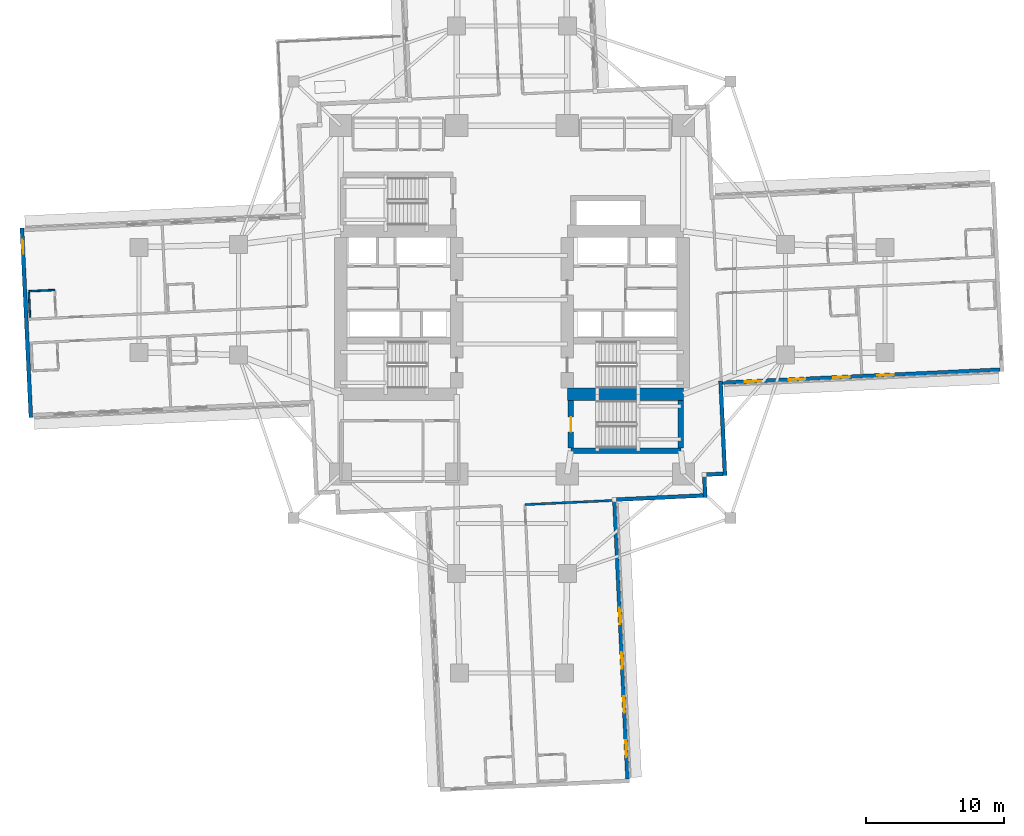
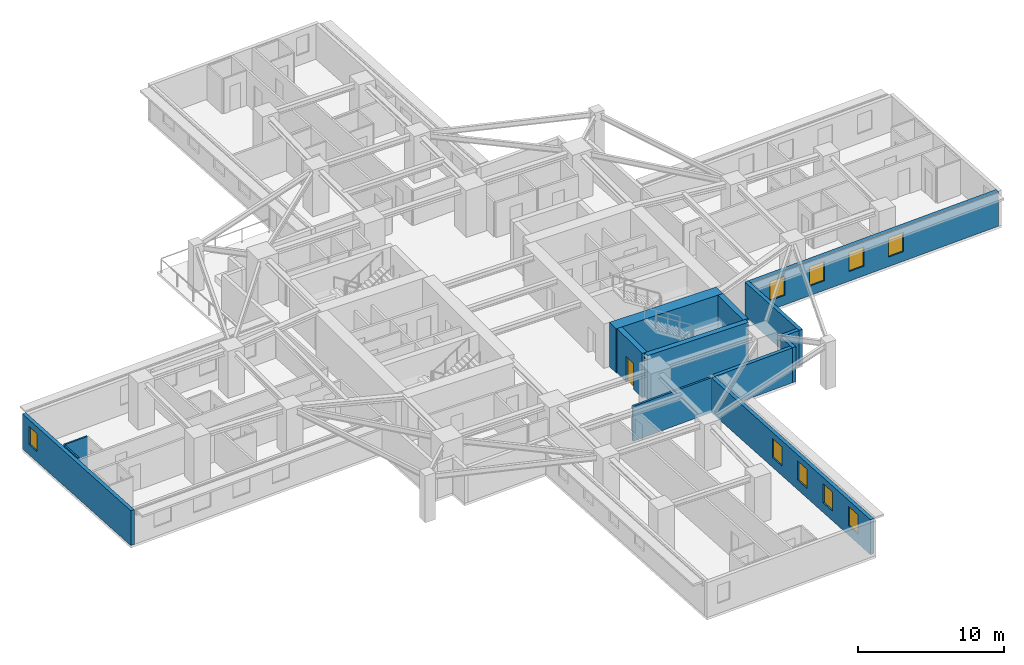
# One storey, part 4 of 14: 14 walls, 9 windows, 1 door, 10 openings.
"""IFC4 building model written with IfcOpenShell, lengths in metres."""

from ifc_helpers import new_model, si_unit, direction, frame, frame_2d, origin, place, context, subcontext, project, spatial, rectangle, extrude, material, layer, layer_set, type_object, element, fill, save


model = new_model("IFC4")

# Units and contexts
model_context = context("Model", 3, precision=1e-05, world=origin(), true_north=direction((0.0, 1.0)))
body_context = subcontext(model_context, "Body", "Model", "MODEL_VIEW")
ifc_project = project(units=[si_unit("LENGTHUNIT", "METRE"), si_unit("AREAUNIT", "SQUARE_METRE"), si_unit("VOLUMEUNIT", "CUBIC_METRE"), si_unit("PLANEANGLEUNIT", "RADIAN"), si_unit("MASSUNIT", "GRAM", prefix="KILO")], contexts=[model_context])

# Site, building, storey
site_placement = place(None, origin())
site = spatial("IfcSite", under=ifc_project, at=site_placement, CompositionType="ELEMENT")
building_placement = place(site_placement, origin())
building = spatial("IfcBuilding", under=site, at=building_placement, Name="Qingluan Cross Belvedere", CompositionType="ELEMENT")
storey_placement = place(building_placement, frame((0.0, 0.0, 35.39990234375)))
storey = spatial("IfcBuildingStorey", under=building, at=storey_placement, Name="L09", CompositionType="ELEMENT", Elevation=35.39990234375)

# Wall
ifc_material_1 = material(Name="Concrete C50", Category="concrete")
ifc_layer_1 = layer(ifc_material_1, 0.449951171875, Name="CoreShearWall_450")
ifc_layer_set_1 = layer_set([ifc_layer_1], Name="Concrete C50")
wall_type_1 = type_object("IfcWallType", Name="CoreShearWall_450", PredefinedType="SHEAR", material=ifc_layer_set_1)
wall_1_placement = place(storey_placement, frame((4.260009765625, -10.93994140625, 0.0), z_axis=(0.0, 0.0, 1.0), x_axis=(1.0, 0.0, 0.0)))
element("IfcWall", 1, at=wall_1_placement, inside=storey, type_object=wall_type_1, Name="Stair ST4 structural wall S L09", PredefinedType="SHEAR", context=body_context, shape_type="SweptSolid", body=[
    extrude(rectangle(XDim=7.9599609375, YDim=0.39990234375, at=frame_2d((3.97998046875, 0.0))), origin(), (0.0, 0.0, 1.0), 3.7001953125),
])

# Wall, opening, door
wall_2_placement = place(storey_placement, frame((4.260009765625, -10.735107421875, 0.0), z_axis=(0.0, 0.0, 1.0), x_axis=(0.0, 1.0, 0.0)))
wall_2 = element("IfcWall", 2, at=wall_2_placement, inside=storey, type_object=wall_type_1, Name="Stair ST4 structural wall W L09", PredefinedType="SHEAR", context=body_context, shape_type="SweptSolid", body=[
    extrude(rectangle(XDim=3.43017578125, YDim=0.39990234375, at=frame_2d((1.715087890625, 0.0))), origin(), (0.0, 0.0, 1.0), 3.7001953125),
])
opening_1_placement = place(wall_2_placement, frame((1.18505859375, 0.0, 0.0)))
opening_1 = element("IfcOpeningElement", 3, at=opening_1_placement, cuts=wall_2, Name="Opening FD-B11", PredefinedType="OPENING", context=body_context, shape_type="SweptSolid", body=[
    extrude(rectangle(XDim=1.050048828125, YDim=2.14990234375, at=frame_2d((0.52490234375, 1.074951171875))), frame((0.0, 0.2099609375, 0.0), z_axis=(0.0, -1.0, 0.0), x_axis=(1.0, 0.0, 0.0)), (0.0, 0.0, 1.0), 0.419921875),
])
ifc_material_2 = material(Name="Steel Class B smoke-seal fire door", Category="steel")
door_type = type_object("IfcDoorType", Name="StairLobbyFireDoor_FDB", OperationType="NOTDEFINED", PredefinedType="DOOR", material=ifc_material_2)
door_placement = place(opening_1_placement, origin())
door = element("IfcDoor", 4, at=door_placement, inside=storey, type_object=door_type, Name="Smoke-proof stair ST4 fire door L09", OperationType="SINGLE_SWING_LEFT", OverallHeight=2.14990234375, OverallWidth=1.050048828125, PredefinedType="DOOR", context=body_context, shape_type="SweptSolid", body=[
    extrude(rectangle(XDim=1.050048828125, YDim=2.14990234375, at=frame_2d((0.52490234375, 1.074951171875))), frame((0.0, 0.02490234375, 0.0), z_axis=(0.0, -1.0, 0.0), x_axis=(1.0, 0.0, 0.0)), (0.0, 0.0, 1.0), 0.050048828125),
])
fill(opening_1, door)

# Walls
wall_3_placement = place(storey_placement, frame((12.219970703125, -10.735107421875, 0.0), z_axis=(0.0, 0.0, 1.0), x_axis=(0.0, 1.0, 0.0)))
element("IfcWall", 5, at=wall_3_placement, inside=storey, type_object=wall_type_1, Name="Stair ST4 structural wall E L09", PredefinedType="SHEAR", context=body_context, shape_type="SweptSolid", body=[
    extrude(rectangle(XDim=3.43017578125, YDim=0.39990234375, at=frame_2d((1.715087890625, 0.0))), origin(), (0.0, 0.0, 1.0), 3.7001953125),
])
ifc_material_3 = material(Name="Concrete C70", Category="concrete")
ifc_layer_2 = layer(ifc_material_3, 0.89990234375, Name="CoreShearWall_900")
ifc_layer_set_2 = layer_set([ifc_layer_2], Name="Concrete C70")
wall_type_2 = type_object("IfcWallType", Name="CoreShearWall_900", PredefinedType="SHEAR", material=ifc_layer_set_2)
wall_4_placement = place(storey_placement, frame((4.0, -6.85009765625, 0.0), z_axis=(0.0, 0.0, 1.0), x_axis=(1.0, 0.0, 0.0)))
element("IfcWall", 6, at=wall_4_placement, inside=storey, type_object=wall_type_2, Name="Split core E shear wall L09-S", PredefinedType="SHEAR", context=body_context, shape_type="SweptSolid", body=[
    extrude(rectangle(XDim=8.39990234375, YDim=0.89990234375, at=frame_2d((4.199951171875, 0.0))), origin(), (0.0, 0.0, 1.0), 3.7001953125),
])
ifc_material_4 = material(Name="Gypsum plasterboard on steel stud acoustic partition", Category="steel")
ifc_layer_3 = layer(ifc_material_4, 0.159912109375, Name="CorridorPartition_160")
ifc_layer_set_3 = layer_set([ifc_layer_3], Name="Gypsum plasterboard on steel stud acoustic partition")
wall_type_3 = type_object("IfcWallType", Name="CorridorPartition_160", PredefinedType="PARTITIONING", material=ifc_layer_set_3)
wall_5_placement = place(storey_placement, frame((0.939208984375, -14.822265625, 0.0), z_axis=(0.0, 0.0, 1.0), x_axis=(0.998890444558, 0.047094370901, 0.0)))
element("IfcWall", 7, at=wall_5_placement, inside=storey, type_object=wall_type_3, Name="Partition L09:S:s0", PredefinedType="PARTITIONING", context=body_context, shape_type="SweptSolid", body=[
    extrude(rectangle(XDim=6.47998046875, YDim=0.159912109375, at=frame_2d((3.239990234375, 0.0))), origin(), (0.0, 0.0, 1.0), 2.900146484375),
])
ifc_material_5 = material(Name="Moisture-resistant gypsum board lining")
ifc_layer_4 = layer(ifc_material_5, 0.1201171875, Name="EnsuiteWetPartition_120")
ifc_layer_set_4 = layer_set([ifc_layer_4], Name="Moisture-resistant gypsum board lining")
wall_type_4 = type_object("IfcWallType", Name="EnsuiteWetPartition_120", PredefinedType="PARTITIONING", material=ifc_layer_set_4)
wall_6_placement = place(storey_placement, frame((-34.879150390625, -1.264404296875, 0.0), z_axis=(0.0, 0.0, 1.0), x_axis=(-0.047087116047, 0.998890786574, 0.0)))
element("IfcWall", 8, at=wall_6_placement, inside=storey, type_object=wall_type_4, Name="Partition L09:W:bw0_1", PredefinedType="PARTITIONING", context=body_context, shape_type="SweptSolid", body=[
    extrude(rectangle(XDim=1.81982421875, YDim=0.1201171875, at=frame_2d((0.909912109375, 0.0))), origin(), (0.0, 0.0, 1.0), 2.900146484375),
])
wall_7_placement = place(storey_placement, frame((-33.090087890625, 0.70703125, 0.0), z_axis=(0.0, 0.0, 1.0), x_axis=(-0.998888319371, -0.047139425368, 0.0)))
element("IfcWall", 9, at=wall_7_placement, inside=storey, type_object=wall_type_4, Name="Partition L09:W:bn0_1", PredefinedType="PARTITIONING", context=body_context, shape_type="SweptSolid", body=[
    extrude(rectangle(XDim=1.880126953125, YDim=0.1201171875, at=frame_2d((0.93994140625, 0.0))), origin(), (0.0, 0.0, 1.0), 2.900146484375),
])

# Wall, openings, windows
ifc_material_6 = material(Name="Precast concrete C45", Category="concrete")
ifc_layer_5 = layer(ifc_material_6, 0.280029296875, Name="PrecastFacadeWall_280")
ifc_layer_set_5 = layer_set([ifc_layer_5], Name="Precast concrete C45")
wall_type_5 = type_object("IfcWallType", Name="PrecastFacadeWall_280", PredefinedType="STANDARD", material=ifc_layer_set_5)
wall_8_placement = place(storey_placement, frame((15.239990234375, -6.0087890625, 0.0), z_axis=(0.0, 0.0, 1.0), x_axis=(0.998890015344, 0.047103473814, 0.0)))
wall_8 = element("IfcWall", 10, at=wall_8_placement, inside=storey, type_object=wall_type_5, Name="Facade wall L09-EA", PredefinedType="STANDARD", context=body_context, shape_type="SweptSolid", body=[
    extrude(rectangle(XDim=20.099853515625, YDim=0.280029296875, at=frame_2d((10.0498046875, 0.0))), origin(), (0.0, 0.0, 1.0), 2.91015625),
])
opening_2_placement = place(wall_8_placement, frame((1.60009765625, 0.0, 0.800048828125)))
opening_2 = element("IfcOpeningElement", 11, at=opening_2_placement, cuts=wall_8, Name="Opening W-02", PredefinedType="OPENING", context=body_context, shape_type="SweptSolid", body=[
    extrude(rectangle(XDim=1.199951171875, YDim=1.60009765625, at=frame_2d((0.60009765625, 0.800048828125))), frame((0.0, 0.14990234375, 0.0), z_axis=(0.0, -1.0, 0.0), x_axis=(1.0, 0.0, 0.0)), (0.0, 0.0, 1.0), 0.300048828125),
])
opening_3_placement = place(wall_8_placement, frame((4.800048828125, 0.0, 0.800048828125)))
opening_3 = element("IfcOpeningElement", 12, at=opening_3_placement, cuts=wall_8, Name="Opening W-02", PredefinedType="OPENING", context=body_context, shape_type="SweptSolid", body=[
    extrude(rectangle(XDim=1.199951171875, YDim=1.60009765625, at=frame_2d((0.60009765625, 0.800048828125))), frame((0.0, 0.14990234375, 0.0), z_axis=(0.0, -1.0, 0.0), x_axis=(1.0, 0.0, 0.0)), (0.0, 0.0, 1.0), 0.300048828125),
])
opening_4_placement = place(wall_8_placement, frame((8.0, 0.0, 0.800048828125)))
opening_4 = element("IfcOpeningElement", 13, at=opening_4_placement, cuts=wall_8, Name="Opening W-02", PredefinedType="OPENING", context=body_context, shape_type="SweptSolid", body=[
    extrude(rectangle(XDim=1.199951171875, YDim=1.60009765625, at=frame_2d((0.60009765625, 0.800048828125))), frame((0.0, 0.14990234375, 0.0), z_axis=(0.0, -1.0, 0.0), x_axis=(1.0, 0.0, 0.0)), (0.0, 0.0, 1.0), 0.300048828125),
])
opening_5_placement = place(wall_8_placement, frame((11.199951171875, 0.0, 0.800048828125)))
opening_5 = element("IfcOpeningElement", 14, at=opening_5_placement, cuts=wall_8, Name="Opening W-02", PredefinedType="OPENING", context=body_context, shape_type="SweptSolid", body=[
    extrude(rectangle(XDim=1.199951171875, YDim=1.60009765625, at=frame_2d((0.60009765625, 0.800048828125))), frame((0.0, 0.14990234375, 0.0), z_axis=(0.0, -1.0, 0.0), x_axis=(1.0, 0.0, 0.0)), (0.0, 0.0, 1.0), 0.300048828125),
])
ifc_material_7 = material(Name="Thermally broken triple Low-E glass in aluminium frame", Category="aluminium")
window_type_1 = type_object("IfcWindowType", Name="TriRibbonWin_1200x1600", PartitioningType="SINGLE_PANEL", PredefinedType="WINDOW", material=ifc_material_7)
window_1_placement = place(opening_2_placement, origin())
window_1 = element("IfcWindow", 15, at=window_1_placement, inside=storey, type_object=window_type_1, Name="Ribbon window L09-EA-1", OverallHeight=1.60009765625, OverallWidth=1.199951171875, PartitioningType="SINGLE_PANEL", PredefinedType="WINDOW", context=body_context, shape_type="SweptSolid", body=[
    extrude(rectangle(XDim=1.199951171875, YDim=1.60009765625, at=frame_2d((0.60009765625, 0.800048828125))), frame((0.0, 0.030029296875, 0.0), z_axis=(0.0, -1.0, 0.0), x_axis=(1.0, 0.0, 0.0)), (0.0, 0.0, 1.0), 0.06005859375),
])
fill(opening_2, window_1)
window_2_placement = place(opening_3_placement, origin())
window_2 = element("IfcWindow", 16, at=window_2_placement, inside=storey, type_object=window_type_1, Name="Ribbon window L09-EA-2", OverallHeight=1.60009765625, OverallWidth=1.199951171875, PartitioningType="SINGLE_PANEL", PredefinedType="WINDOW", context=body_context, shape_type="SweptSolid", body=[
    extrude(rectangle(XDim=1.199951171875, YDim=1.60009765625, at=frame_2d((0.60009765625, 0.800048828125))), frame((0.0, 0.030029296875, 0.0), z_axis=(0.0, -1.0, 0.0), x_axis=(1.0, 0.0, 0.0)), (0.0, 0.0, 1.0), 0.06005859375),
])
fill(opening_3, window_2)
window_3_placement = place(opening_4_placement, origin())
window_3 = element("IfcWindow", 17, at=window_3_placement, inside=storey, type_object=window_type_1, Name="Ribbon window L09-EA-3", OverallHeight=1.60009765625, OverallWidth=1.199951171875, PartitioningType="SINGLE_PANEL", PredefinedType="WINDOW", context=body_context, shape_type="SweptSolid", body=[
    extrude(rectangle(XDim=1.199951171875, YDim=1.60009765625, at=frame_2d((0.60009765625, 0.800048828125))), frame((0.0, 0.030029296875, 0.0), z_axis=(0.0, -1.0, 0.0), x_axis=(1.0, 0.0, 0.0)), (0.0, 0.0, 1.0), 0.06005859375),
])
fill(opening_4, window_3)
window_4_placement = place(opening_5_placement, origin())
window_4 = element("IfcWindow", 18, at=window_4_placement, inside=storey, type_object=window_type_1, Name="Ribbon window L09-EA-4", OverallHeight=1.60009765625, OverallWidth=1.199951171875, PartitioningType="SINGLE_PANEL", PredefinedType="WINDOW", context=body_context, shape_type="SweptSolid", body=[
    extrude(rectangle(XDim=1.199951171875, YDim=1.60009765625, at=frame_2d((0.60009765625, 0.800048828125))), frame((0.0, 0.030029296875, 0.0), z_axis=(0.0, -1.0, 0.0), x_axis=(1.0, 0.0, 0.0)), (0.0, 0.0, 1.0), 0.06005859375),
])
fill(opening_5, window_4)

# Wall, opening, window
wall_9_placement = place(storey_placement, frame((-35.464111328125, 5.1953125, 0.0), z_axis=(0.0, 0.0, 1.0), x_axis=(0.047101845086, -0.998890092147, 0.0)))
wall_9 = element("IfcWall", 19, at=wall_9_placement, inside=storey, type_object=wall_type_5, Name="Arm tip precast facade wall L09-W", PredefinedType="STANDARD", context=body_context, shape_type="SweptSolid", body=[
    extrude(rectangle(XDim=13.719970703125, YDim=0.280029296875, at=frame_2d((6.85986328125, 0.0))), origin(), (0.0, 0.0, 1.0), 2.91015625),
])
opening_6_placement = place(wall_9_placement, frame((0.85009765625, 0.0, 0.85009765625)))
opening_6 = element("IfcOpeningElement", 20, at=opening_6_placement, cuts=wall_9, Name="Opening W-03", PredefinedType="OPENING", context=body_context, shape_type="SweptSolid", body=[
    extrude(rectangle(XDim=1.0, YDim=1.5, at=frame_2d((0.5, 0.75))), frame((0.0, 0.14990234375, 0.0), z_axis=(0.0, -1.0, 0.0), x_axis=(1.0, 0.0, 0.0)), (0.0, 0.0, 1.0), 0.300048828125),
])
ifc_material_8 = material(Name="Thermally broken triple Low-E glass in aluminium frame", Category="aluminium")
window_type_2 = type_object("IfcWindowType", Name="TriApexWin_1000x1500", PartitioningType="SINGLE_PANEL", PredefinedType="WINDOW", material=ifc_material_8)
window_5_placement = place(opening_6_placement, origin())
window_5 = element("IfcWindow", 21, at=window_5_placement, inside=storey, type_object=window_type_2, Name="Arm tip triangular window L09-W", OverallHeight=1.5, OverallWidth=1.0, PartitioningType="SINGLE_PANEL", PredefinedType="WINDOW", context=body_context, shape_type="SweptSolid", body=[
    extrude(rectangle(XDim=1.0, YDim=1.5, at=frame_2d((0.5, 0.75))), frame((0.0, 0.030029296875, 0.0), z_axis=(0.0, -1.0, 0.0), x_axis=(1.0, 0.0, 0.0)), (0.0, 0.0, 1.0), 0.06005859375),
])
fill(opening_6, window_5)

# Wall, openings, windows
wall_10_placement = place(storey_placement, frame((8.363037109375, -34.6845703125, 0.0), z_axis=(0.0, 0.0, 1.0), x_axis=(-0.047103473814, 0.998890015344, 0.0)))
wall_10 = element("IfcWall", 22, at=wall_10_placement, inside=storey, type_object=wall_type_5, Name="Facade wall L09-SB", PredefinedType="STANDARD", context=body_context, shape_type="SweptSolid", body=[
    extrude(rectangle(XDim=20.099853515625, YDim=0.280029296875, at=frame_2d((10.0498046875, 0.0))), origin(), (0.0, 0.0, 1.0), 2.91015625),
])
opening_7_placement = place(wall_10_placement, frame((1.60009765625, 0.0, 0.800048828125)))
opening_7 = element("IfcOpeningElement", 23, at=opening_7_placement, cuts=wall_10, Name="Opening W-02", PredefinedType="OPENING", context=body_context, shape_type="SweptSolid", body=[
    extrude(rectangle(XDim=1.199951171875, YDim=1.60009765625, at=frame_2d((0.60009765625, 0.800048828125))), frame((0.0, 0.14990234375, 0.0), z_axis=(0.0, -1.0, 0.0), x_axis=(1.0, 0.0, 0.0)), (0.0, 0.0, 1.0), 0.300048828125),
])
opening_8_placement = place(wall_10_placement, frame((4.800048828125, 0.0, 0.800048828125)))
opening_8 = element("IfcOpeningElement", 24, at=opening_8_placement, cuts=wall_10, Name="Opening W-02", PredefinedType="OPENING", context=body_context, shape_type="SweptSolid", body=[
    extrude(rectangle(XDim=1.199951171875, YDim=1.60009765625, at=frame_2d((0.60009765625, 0.800048828125))), frame((0.0, 0.14990234375, 0.0), z_axis=(0.0, -1.0, 0.0), x_axis=(1.0, 0.0, 0.0)), (0.0, 0.0, 1.0), 0.300048828125),
])
opening_9_placement = place(wall_10_placement, frame((8.0, 0.0, 0.800048828125)))
opening_9 = element("IfcOpeningElement", 25, at=opening_9_placement, cuts=wall_10, Name="Opening W-02", PredefinedType="OPENING", context=body_context, shape_type="SweptSolid", body=[
    extrude(rectangle(XDim=1.199951171875, YDim=1.60009765625, at=frame_2d((0.60009765625, 0.800048828125))), frame((0.0, 0.14990234375, 0.0), z_axis=(0.0, -1.0, 0.0), x_axis=(1.0, 0.0, 0.0)), (0.0, 0.0, 1.0), 0.300048828125),
])
opening_10_placement = place(wall_10_placement, frame((11.199951171875, 0.0, 0.800048828125)))
opening_10 = element("IfcOpeningElement", 26, at=opening_10_placement, cuts=wall_10, Name="Opening W-02", PredefinedType="OPENING", context=body_context, shape_type="SweptSolid", body=[
    extrude(rectangle(XDim=1.199951171875, YDim=1.60009765625, at=frame_2d((0.60009765625, 0.800048828125))), frame((0.0, 0.14990234375, 0.0), z_axis=(0.0, -1.0, 0.0), x_axis=(1.0, 0.0, 0.0)), (0.0, 0.0, 1.0), 0.300048828125),
])
window_6_placement = place(opening_7_placement, origin())
window_6 = element("IfcWindow", 27, at=window_6_placement, inside=storey, type_object=window_type_1, Name="Ribbon window L09-SB-1", OverallHeight=1.60009765625, OverallWidth=1.199951171875, PartitioningType="SINGLE_PANEL", PredefinedType="WINDOW", context=body_context, shape_type="SweptSolid", body=[
    extrude(rectangle(XDim=1.199951171875, YDim=1.60009765625, at=frame_2d((0.60009765625, 0.800048828125))), frame((0.0, 0.030029296875, 0.0), z_axis=(0.0, -1.0, 0.0), x_axis=(1.0, 0.0, 0.0)), (0.0, 0.0, 1.0), 0.06005859375),
])
fill(opening_7, window_6)
window_7_placement = place(opening_8_placement, origin())
window_7 = element("IfcWindow", 28, at=window_7_placement, inside=storey, type_object=window_type_1, Name="Ribbon window L09-SB-2", OverallHeight=1.60009765625, OverallWidth=1.199951171875, PartitioningType="SINGLE_PANEL", PredefinedType="WINDOW", context=body_context, shape_type="SweptSolid", body=[
    extrude(rectangle(XDim=1.199951171875, YDim=1.60009765625, at=frame_2d((0.60009765625, 0.800048828125))), frame((0.0, 0.030029296875, 0.0), z_axis=(0.0, -1.0, 0.0), x_axis=(1.0, 0.0, 0.0)), (0.0, 0.0, 1.0), 0.06005859375),
])
fill(opening_8, window_7)
window_8_placement = place(opening_9_placement, origin())
window_8 = element("IfcWindow", 29, at=window_8_placement, inside=storey, type_object=window_type_1, Name="Ribbon window L09-SB-3", OverallHeight=1.60009765625, OverallWidth=1.199951171875, PartitioningType="SINGLE_PANEL", PredefinedType="WINDOW", context=body_context, shape_type="SweptSolid", body=[
    extrude(rectangle(XDim=1.199951171875, YDim=1.60009765625, at=frame_2d((0.60009765625, 0.800048828125))), frame((0.0, 0.030029296875, 0.0), z_axis=(0.0, -1.0, 0.0), x_axis=(1.0, 0.0, 0.0)), (0.0, 0.0, 1.0), 0.06005859375),
])
fill(opening_9, window_8)
window_9_placement = place(opening_10_placement, origin())
window_9 = element("IfcWindow", 30, at=window_9_placement, inside=storey, type_object=window_type_1, Name="Ribbon window L09-SB-4", OverallHeight=1.60009765625, OverallWidth=1.199951171875, PartitioningType="SINGLE_PANEL", PredefinedType="WINDOW", context=body_context, shape_type="SweptSolid", body=[
    extrude(rectangle(XDim=1.199951171875, YDim=1.60009765625, at=frame_2d((0.60009765625, 0.800048828125))), frame((0.0, 0.030029296875, 0.0), z_axis=(0.0, -1.0, 0.0), x_axis=(1.0, 0.0, 0.0)), (0.0, 0.0, 1.0), 0.06005859375),
])
fill(opening_10, window_9)

# Walls
wall_11_placement = place(storey_placement, frame((15.093505859375, -5.87548828125, 0.0), z_axis=(0.0, 0.0, 1.0), x_axis=(0.04712043756, -0.998889215261, 0.0)))
element("IfcWall", 31, at=wall_11_placement, inside=storey, type_object=wall_type_5, Name="Corner wall L09-SE1", PredefinedType="STANDARD", context=body_context, shape_type="SweptSolid", body=[
    extrude(rectangle(XDim=6.85986328125, YDim=0.280029296875, at=frame_2d((3.429931640625, 0.0))), origin(), (0.0, 0.0, 1.0), 2.91015625),
])
wall_12_placement = place(storey_placement, frame((15.270263671875, -12.5947265625, 0.0), z_axis=(0.0, 0.0, 1.0), x_axis=(-0.998893795343, -0.047023245574, 0.0)))
element("IfcWall", 32, at=wall_12_placement, inside=storey, type_object=wall_type_5, Name="Corner wall L09-SE2", PredefinedType="STANDARD", context=body_context, shape_type="SweptSolid", body=[
    extrude(rectangle(XDim=1.22021484375, YDim=0.280029296875, at=frame_2d((0.610107421875, 0.0))), origin(), (0.0, 0.0, 1.0), 2.91015625),
])
wall_13_placement = place(storey_placement, frame((13.918212890625, -12.798583984375, 0.0), z_axis=(0.0, 0.0, 1.0), x_axis=(0.047201688113, -0.99888537913, 0.0)))
element("IfcWall", 33, at=wall_13_placement, inside=storey, type_object=wall_type_5, Name="Corner wall L09-SE3", PredefinedType="STANDARD", context=body_context, shape_type="SweptSolid", body=[
    extrude(rectangle(XDim=1.5, YDim=0.280029296875, at=frame_2d((0.75, 0.0))), origin(), (0.0, 0.0, 1.0), 2.91015625),
])
wall_14_placement = place(storey_placement, frame((13.842529296875, -14.16357421875, 0.0), z_axis=(0.0, 0.0, 1.0), x_axis=(-0.998889082162, -0.047123258997, 0.0)))
element("IfcWall", 34, at=wall_14_placement, inside=storey, type_object=wall_type_5, Name="Corner wall L09-SE4", PredefinedType="STANDARD", context=body_context, shape_type="SweptSolid", body=[
    extrude(rectangle(XDim=6.300048828125, YDim=0.280029296875, at=frame_2d((3.14990234375, 0.0))), origin(), (0.0, 0.0, 1.0), 2.91015625),
])

save(model, "model.ifc")
